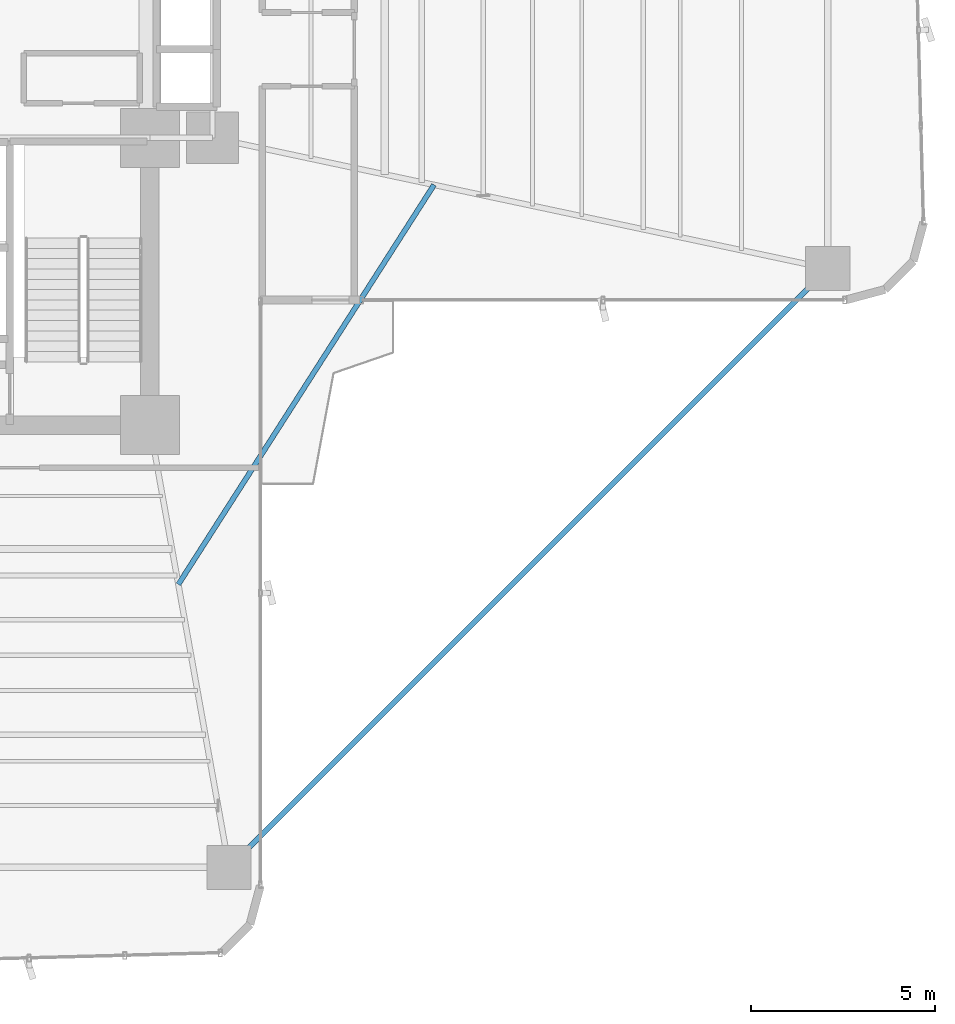
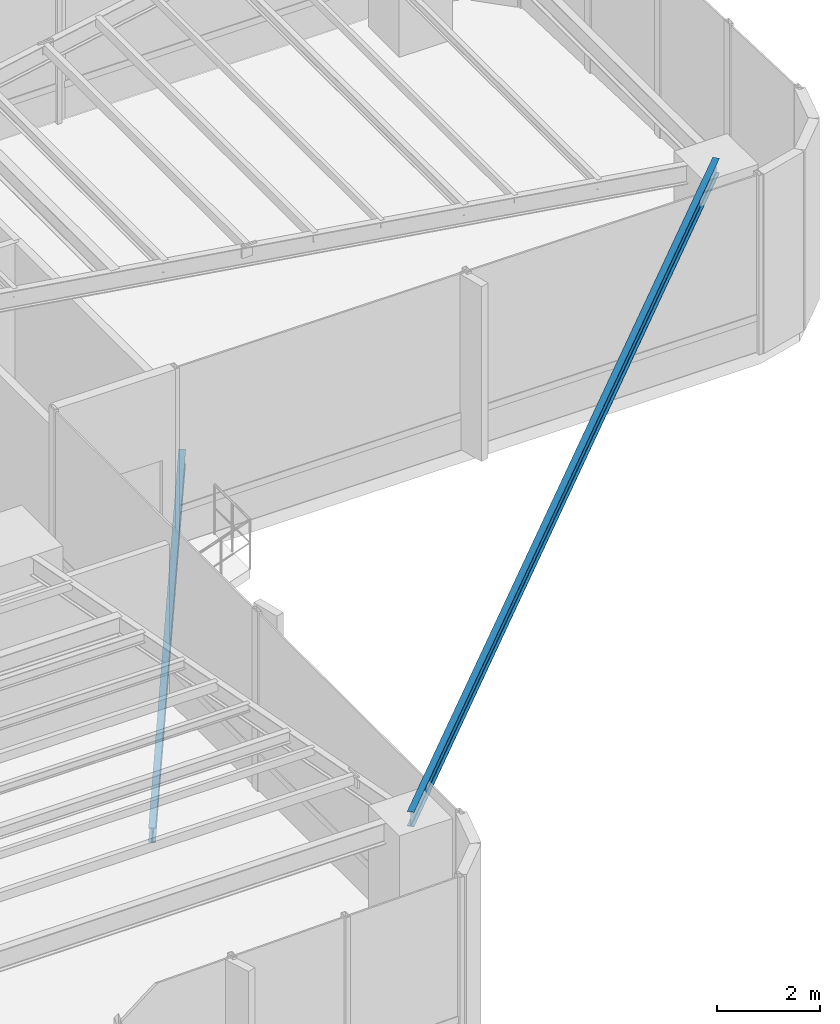
# One storey, part 8 of 20: 2 beams.
"""IFC4 building model written with IfcOpenShell, lengths in metres."""

from ifc_helpers import new_model, si_unit, direction, frame, origin, origin_2d, place, context, subcontext, project, spatial, i_section, extrude, source, transform, mapped, material, material_profile, profile_set, type_object, element, save


model = new_model("IFC4")

# Units and contexts
model_context = context("Model", 3, precision=1e-05, world=origin(), true_north=direction((0.0, 1.0)))
body_context = subcontext(model_context, "Body", "Model", "MODEL_VIEW")
ifc_project = project(units=[si_unit("LENGTHUNIT", "METRE"), si_unit("AREAUNIT", "SQUARE_METRE"), si_unit("VOLUMEUNIT", "CUBIC_METRE"), si_unit("PLANEANGLEUNIT", "RADIAN"), si_unit("MASSUNIT", "GRAM", prefix="KILO")], contexts=[model_context])

# Site, building, storey
site_placement = place(None, origin())
site = spatial("IfcSite", under=ifc_project, at=site_placement, CompositionType="ELEMENT")
building_placement = place(site_placement, origin())
building = spatial("IfcBuilding", under=site, at=building_placement, Name="Sahyath Konkavel Grand Hotel", CompositionType="ELEMENT")
storey_placement = place(building_placement, frame((0.0, 0.0, 46.550048828125)))
storey = spatial("IfcBuildingStorey", under=building, at=storey_placement, Name="L12", CompositionType="ELEMENT", Elevation=46.550048828125)

# Beams
ifc_material = material(Name="Steel E350", Category="steel")
ifc_material_profile_1 = material_profile(ifc_material, i_section(OverallWidth=0.139892578125, OverallDepth=0.35009765625, WebThickness=0.008056640625, FlangeThickness=0.01416015625, FilletRadius=0.013916015625, at=origin_2d()), Name="ISMB 350")
ifc_profile_set_1 = profile_set([ifc_material_profile_1], Name="Steel E350")
beam_type_1 = type_object("IfcBeamType", Name="BM-ISMB350", PredefinedType="BEAM", material=ifc_profile_set_1)
shared_shape_1 = source(origin(), body_context, "Body", "SweptSolid", [
    extrude(i_section(OverallWidth=0.139892578125, OverallDepth=0.35009765625, WebThickness=0.008056640625, FlangeThickness=0.01416015625, FilletRadius=0.013916015625, at=origin_2d()), origin(), (0.0, 0.0, 1.0), 22.98095703125),
])
beam_1_placement = place(storey_placement, frame((22.199951171875, -5.949951171875, 4.0849609375), z_axis=(-0.707106781187, -0.707106781187, 0.0), x_axis=(0.707106781187, -0.707106781187, 0.0)))
element("IfcBeam", 1, at=beam_1_placement, inside=storey, type_object=beam_type_1, Name="L12 Re-Entrant Tie Beam SE", PredefinedType="BEAM", context=body_context, shape_type="MappedRepresentation", body=[
    mapped(shared_shape_1, transform((0.0, 0.0, 0.0), scale=1.0)),
])
ifc_material_profile_2 = material_profile(ifc_material, i_section(OverallWidth=0.139892578125, OverallDepth=0.35009765625, WebThickness=0.008056640625, FlangeThickness=0.01416015625, FilletRadius=0.013916015625, at=origin_2d()), Name="ISMB 350")
ifc_profile_set_2 = profile_set([ifc_material_profile_2], Name="Steel E350")
beam_type_2 = type_object("IfcBeamType", Name="BM-BALC-CANT", PredefinedType="BEAM", material=ifc_profile_set_2)
shared_shape_2 = source(origin(), body_context, "Body", "SweptSolid", [
    extrude(i_section(OverallWidth=0.139892578125, OverallDepth=0.35009765625, WebThickness=0.008056640625, FlangeThickness=0.01416015625, FilletRadius=0.013916015625, at=origin_2d()), origin(), (0.0, 0.0, 1.0), 12.871826171875),
])
beam_2_placement = place(storey_placement, frame((4.573974609375, -14.52001953125, -0.47509765625), z_axis=(0.539003102535, 0.842303778608, 0.0), x_axis=(-0.842303778608, 0.539003102535, 0.0)))
element("IfcBeam", 2, at=beam_2_placement, inside=storey, type_object=beam_type_2, Name="L12 Balcony Cantilever Support Beam SE", PredefinedType="BEAM", context=body_context, shape_type="MappedRepresentation", body=[
    mapped(shared_shape_2, transform((0.0, 0.0, 0.0), scale=1.0)),
])

save(model, "model.ifc")
